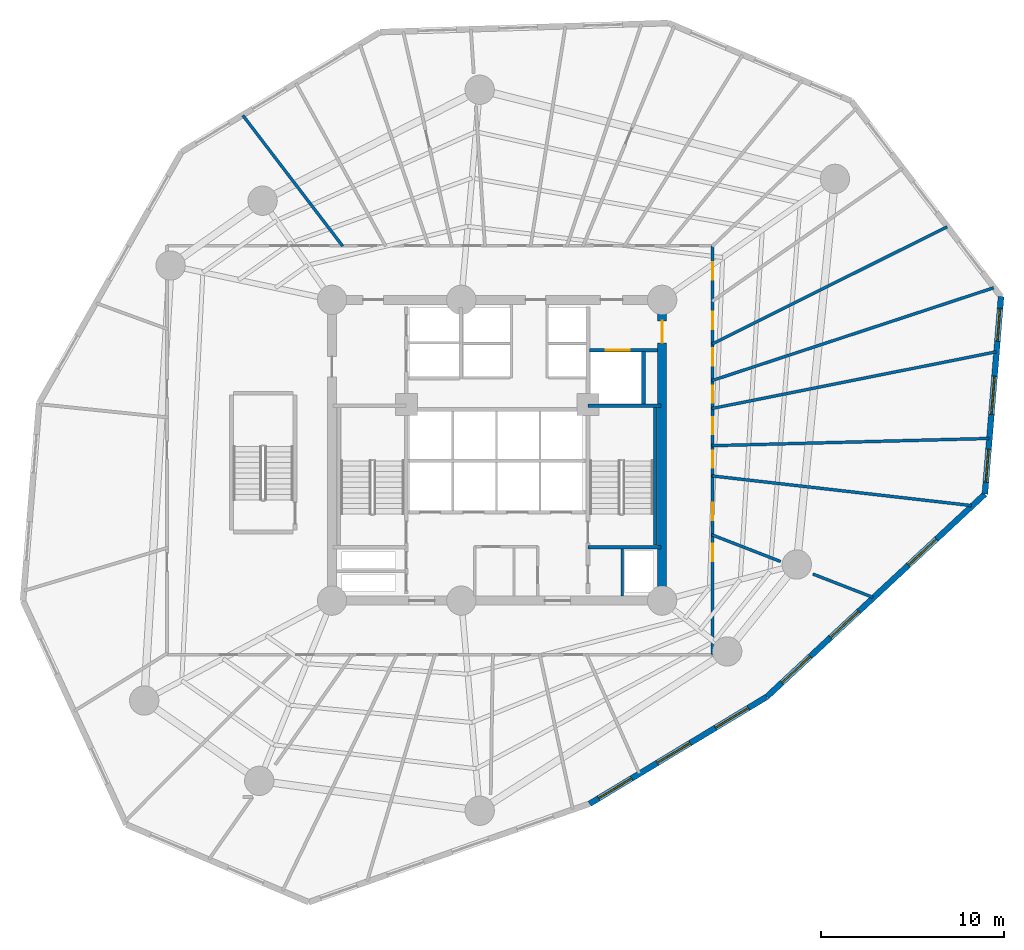
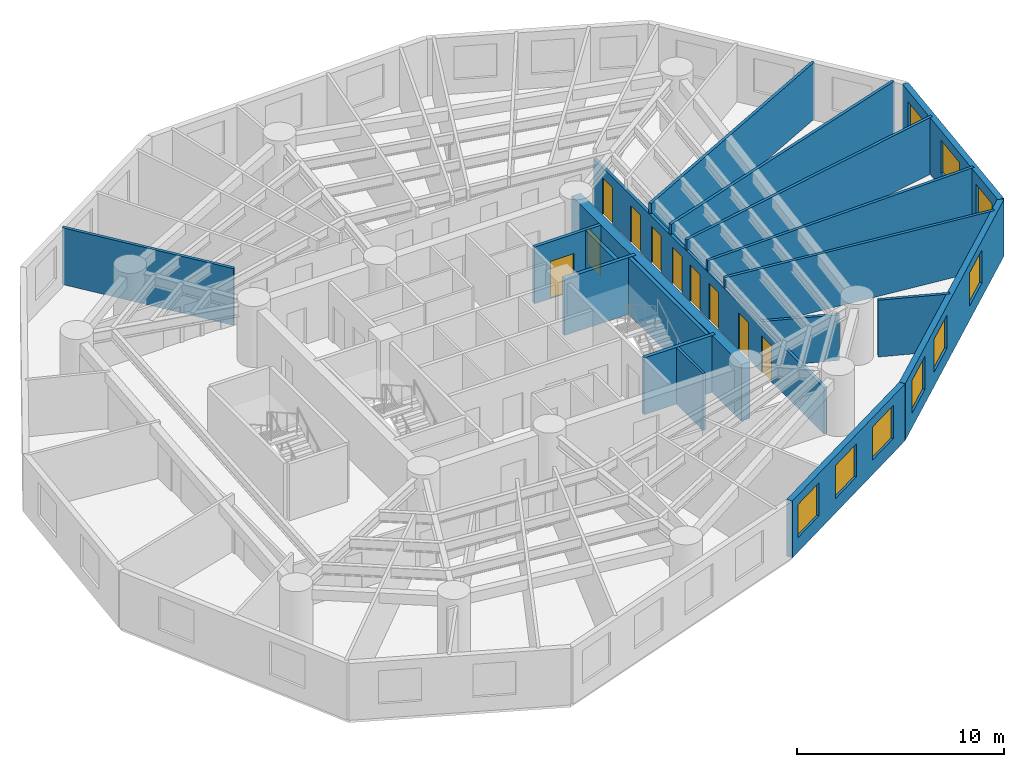
# One storey, part 5 of 8: 19 walls, 10 doors, 9 windows, 19 openings.
"""IFC4 building model written with IfcOpenShell, lengths in metres."""

from ifc_helpers import new_model, si_unit, direction, frame, frame_2d, origin, origin_with_axes, place, context, subcontext, project, spatial, rectangle, extrude, source, transform, mapped, material, layer, layer_set, type_object, element, fill, save


model = new_model("IFC4")

# Units and contexts
model_context = context("Model", 3, precision=1e-05, world=origin(), true_north=direction((0.0, 1.0)))
body_context = subcontext(model_context, "Body", "Model", "MODEL_VIEW")
ifc_project = project(units=[si_unit("LENGTHUNIT", "METRE"), si_unit("AREAUNIT", "SQUARE_METRE"), si_unit("VOLUMEUNIT", "CUBIC_METRE"), si_unit("PLANEANGLEUNIT", "RADIAN"), si_unit("MASSUNIT", "GRAM", prefix="KILO")], contexts=[model_context])

# Site, building, storey
site_placement = place(None, origin())
site = spatial("IfcSite", under=ifc_project, at=site_placement, CompositionType="ELEMENT")
building_placement = place(site_placement, origin())
building = spatial("IfcBuilding", under=site, at=building_placement, Name="Karkom Vertical University and Central Library", CompositionType="ELEMENT")
storey_placement = place(building_placement, frame((0.0, 0.0, 33.699951171875)))
storey = spatial("IfcBuildingStorey", under=building, at=storey_placement, Name="L08", CompositionType="ELEMENT", Elevation=33.699951171875)

# Wall, openings, windows
ifc_material_1 = material(Name="Brick-faced precast concrete C45/55", Category="masonry")
ifc_layer_1 = layer(ifc_material_1, 0.320068359375)
ifc_layer_set_1 = layer_set([ifc_layer_1], Name="Brick-faced precast concrete C45/55")
wall_type_1 = type_object("IfcWallType", Name="ENV-WL-BRK-320", PredefinedType="SOLIDWALL", material=ifc_layer_set_1)
wall_1_placement = place(storey_placement, frame((33.544921875, 7.222900390625, 0.0), z_axis=(0.0, 0.0, 1.0), x_axis=(0.8560794316, 0.51684427712, 0.0)))
wall_1 = element("IfcWall", 1, at=wall_1_placement, inside=storey, type_object=wall_type_1, Name="Level 08 Brick-Faced Precast Facade Wall 07", PredefinedType="SOLIDWALL", context=body_context, shape_type="SweptSolid", body=[
    extrude(rectangle(XDim=11.2880859375, YDim=0.320068359375, at=frame_2d((5.64404296875, 0.0))), origin(), (0.0, 0.0, 1.0), 3.35009765625),
])
opening_1_placement = place(wall_1_placement, frame((0.572021484375, 0.0, 0.85009765625)))
opening_1 = element("IfcOpeningElement", 2, at=opening_1_placement, cuts=wall_1, Name="Opening WN-03", PredefinedType="OPENING", context=body_context, shape_type="SweptSolid", body=[
    extrude(rectangle(XDim=2.10009765625, YDim=1.949951171875, at=frame_2d((1.050048828125, 0.97509765625))), frame((0.0, 0.169921875, 0.0), z_axis=(0.0, -1.0, 0.0), x_axis=(1.0, 0.0, 0.0)), (0.0, 0.0, 1.0), 0.340087890625),
])
opening_2_placement = place(wall_1_placement, frame((4.304931640625, 0.0, 0.85009765625)))
opening_2 = element("IfcOpeningElement", 3, at=opening_2_placement, cuts=wall_1, Name="Opening WN-03", PredefinedType="OPENING", context=body_context, shape_type="SweptSolid", body=[
    extrude(rectangle(XDim=2.10009765625, YDim=1.949951171875, at=frame_2d((1.050048828125, 0.97509765625))), frame((0.0, 0.169921875, 0.0), z_axis=(0.0, -1.0, 0.0), x_axis=(1.0, 0.0, 0.0)), (0.0, 0.0, 1.0), 0.340087890625),
])
opening_3_placement = place(wall_1_placement, frame((8.007080078125, 0.0, 0.85009765625)))
opening_3 = element("IfcOpeningElement", 4, at=opening_3_placement, cuts=wall_1, Name="Opening WN-03", PredefinedType="OPENING", context=body_context, shape_type="SweptSolid", body=[
    extrude(rectangle(XDim=2.10009765625, YDim=1.949951171875, at=frame_2d((1.050048828125, 0.97509765625))), frame((0.0, 0.169921875, 0.0), z_axis=(0.0, -1.0, 0.0), x_axis=(1.0, 0.0, 0.0)), (0.0, 0.0, 1.0), 0.340087890625),
])
ifc_material_2 = material(Name="Aluminium thermal-break frame with solar-control IGU", Category="aluminium")
window_type_1 = type_object("IfcWindowType", Name="ENV-WIN-WN-03", PartitioningType="SINGLE_PANEL", PredefinedType="WINDOW", material=ifc_material_2)
shared_shape_1 = source(origin_with_axes(), body_context, "Body", "SweptSolid", [
    extrude(rectangle(XDim=2.10009765625, YDim=1.949951171875, at=frame_2d((1.050048828125, 0.97509765625))), frame((0.0, 0.030029296875, 0.0), z_axis=(0.0, -1.0, 0.0), x_axis=(1.0, 0.0, 0.0)), (0.0, 0.0, 1.0), 0.06005859375),
])
window_1_placement = place(opening_1_placement, origin())
window_1 = element("IfcWindow", 5, at=window_1_placement, inside=storey, type_object=window_type_1, Name="Level 08 Punched Window 7.1", OverallHeight=1.949951171875, OverallWidth=2.10009765625, PartitioningType="SINGLE_PANEL", PredefinedType="WINDOW", context=body_context, shape_type="MappedRepresentation", body=[
    mapped(shared_shape_1, transform((0.0, 0.0, 0.0), scale=1.0)),
])
fill(opening_1, window_1)
window_2_placement = place(opening_2_placement, origin())
window_2 = element("IfcWindow", 6, at=window_2_placement, inside=storey, type_object=window_type_1, Name="Level 08 Punched Window 7.2", OverallHeight=1.949951171875, OverallWidth=2.10009765625, PartitioningType="SINGLE_PANEL", PredefinedType="WINDOW", context=body_context, shape_type="MappedRepresentation", body=[
    mapped(shared_shape_1, transform((0.0, 0.0, 0.0), scale=1.0)),
])
fill(opening_2, window_2)
window_3_placement = place(opening_3_placement, origin())
window_3 = element("IfcWindow", 7, at=window_3_placement, inside=storey, type_object=window_type_1, Name="Level 08 Punched Window 7.3", OverallHeight=1.949951171875, OverallWidth=2.10009765625, PartitioningType="SINGLE_PANEL", PredefinedType="WINDOW", context=body_context, shape_type="MappedRepresentation", body=[
    mapped(shared_shape_1, transform((0.0, 0.0, 0.0), scale=1.0)),
])
fill(opening_3, window_3)

wall_2_placement = place(storey_placement, frame((43.20849609375, 13.05712890625, 0.0), z_axis=(0.0, 0.0, 1.0), x_axis=(0.732423224096, 0.680849631567, 0.0)))
wall_2 = element("IfcWall", 8, at=wall_2_placement, inside=storey, type_object=wall_type_1, Name="Level 08 Brick-Faced Precast Facade Wall 08", PredefinedType="SOLIDWALL", context=body_context, shape_type="SweptSolid", body=[
    extrude(rectangle(XDim=16.232421875, YDim=0.320068359375, at=frame_2d((8.1162109375, 0.0))), origin(), (0.0, 0.0, 1.0), 3.35009765625),
])
opening_4_placement = place(wall_2_placement, frame((1.13330078125, 0.0, 0.85009765625)))
opening_4 = element("IfcOpeningElement", 9, at=opening_4_placement, cuts=wall_2, Name="Opening WN-03", PredefinedType="OPENING", context=body_context, shape_type="SweptSolid", body=[
    extrude(rectangle(XDim=2.10009765625, YDim=1.949951171875, at=frame_2d((1.050048828125, 0.97509765625))), frame((0.0, 0.169921875, 0.0), z_axis=(0.0, -1.0, 0.0), x_axis=(1.0, 0.0, 0.0)), (0.0, 0.0, 1.0), 0.340087890625),
])
opening_5_placement = place(wall_2_placement, frame((4.739501953125, 0.0, 0.85009765625)))
opening_5 = element("IfcOpeningElement", 10, at=opening_5_placement, cuts=wall_2, Name="Opening WN-03", PredefinedType="OPENING", context=body_context, shape_type="SweptSolid", body=[
    extrude(rectangle(XDim=2.10009765625, YDim=1.949951171875, at=frame_2d((1.050048828125, 0.97509765625))), frame((0.0, 0.169921875, 0.0), z_axis=(0.0, -1.0, 0.0), x_axis=(1.0, 0.0, 0.0)), (0.0, 0.0, 1.0), 0.340087890625),
])
opening_6_placement = place(wall_2_placement, frame((10.52978515625, 0.0, 0.85009765625)))
opening_6 = element("IfcOpeningElement", 11, at=opening_6_placement, cuts=wall_2, Name="Opening WN-03", PredefinedType="OPENING", context=body_context, shape_type="SweptSolid", body=[
    extrude(rectangle(XDim=2.10009765625, YDim=1.949951171875, at=frame_2d((1.050048828125, 0.97509765625))), frame((0.0, 0.169921875, 0.0), z_axis=(0.0, -1.0, 0.0), x_axis=(1.0, 0.0, 0.0)), (0.0, 0.0, 1.0), 0.340087890625),
])
window_4_placement = place(opening_4_placement, origin())
window_4 = element("IfcWindow", 12, at=window_4_placement, inside=storey, type_object=window_type_1, Name="Level 08 Punched Window 8.1", OverallHeight=1.949951171875, OverallWidth=2.10009765625, PartitioningType="SINGLE_PANEL", PredefinedType="WINDOW", context=body_context, shape_type="MappedRepresentation", body=[
    mapped(shared_shape_1, transform((0.0, 0.0, 0.0), scale=1.0)),
])
fill(opening_4, window_4)
window_5_placement = place(opening_5_placement, origin())
window_5 = element("IfcWindow", 13, at=window_5_placement, inside=storey, type_object=window_type_1, Name="Level 08 Punched Window 8.2", OverallHeight=1.949951171875, OverallWidth=2.10009765625, PartitioningType="SINGLE_PANEL", PredefinedType="WINDOW", context=body_context, shape_type="MappedRepresentation", body=[
    mapped(shared_shape_1, transform((0.0, 0.0, 0.0), scale=1.0)),
])
fill(opening_5, window_5)
window_6_placement = place(opening_6_placement, origin())
window_6 = element("IfcWindow", 14, at=window_6_placement, inside=storey, type_object=window_type_1, Name="Level 08 Punched Window 8.3", OverallHeight=1.949951171875, OverallWidth=2.10009765625, PartitioningType="SINGLE_PANEL", PredefinedType="WINDOW", context=body_context, shape_type="MappedRepresentation", body=[
    mapped(shared_shape_1, transform((0.0, 0.0, 0.0), scale=1.0)),
])
fill(opening_6, window_6)

wall_3_placement = place(storey_placement, frame((55.097412109375, 24.10888671875, 0.0), z_axis=(0.0, 0.0, 1.0), x_axis=(0.081674843911, 0.996659028892, 0.0)))
wall_3 = element("IfcWall", 15, at=wall_3_placement, inside=storey, type_object=wall_type_1, Name="Level 08 Brick-Faced Precast Facade Wall 09", PredefinedType="SOLIDWALL", context=body_context, shape_type="SweptSolid", body=[
    extrude(rectangle(XDim=10.805908203125, YDim=0.320068359375, at=frame_2d((5.40283203125, 0.0))), origin(), (0.0, 0.0, 1.0), 3.35009765625),
])
opening_7_placement = place(wall_3_placement, frame((0.64892578125, 0.0, 0.85009765625)))
opening_7 = element("IfcOpeningElement", 16, at=opening_7_placement, cuts=wall_3, Name="Opening WN-04", PredefinedType="OPENING", context=body_context, shape_type="SweptSolid", body=[
    extrude(rectangle(XDim=1.800048828125, YDim=1.85009765625, at=frame_2d((0.89990234375, 0.925048828125))), frame((0.0, 0.169921875, 0.0), z_axis=(0.0, -1.0, 0.0), x_axis=(1.0, 0.0, 0.0)), (0.0, 0.0, 1.0), 0.340087890625),
])
opening_8_placement = place(wall_3_placement, frame((4.354248046875, 0.0, 0.85009765625)))
opening_8 = element("IfcOpeningElement", 17, at=opening_8_placement, cuts=wall_3, Name="Opening WN-03", PredefinedType="OPENING", context=body_context, shape_type="SweptSolid", body=[
    extrude(rectangle(XDim=2.10009765625, YDim=1.949951171875, at=frame_2d((1.050048828125, 0.97509765625))), frame((0.0, 0.169921875, 0.0), z_axis=(0.0, -1.0, 0.0), x_axis=(1.0, 0.0, 0.0)), (0.0, 0.0, 1.0), 0.340087890625),
])
opening_9_placement = place(wall_3_placement, frame((8.358154296875, 0.0, 0.85009765625)))
opening_9 = element("IfcOpeningElement", 18, at=opening_9_placement, cuts=wall_3, Name="Opening WN-04", PredefinedType="OPENING", context=body_context, shape_type="SweptSolid", body=[
    extrude(rectangle(XDim=1.800048828125, YDim=1.85009765625, at=frame_2d((0.89990234375, 0.925048828125))), frame((0.0, 0.169921875, 0.0), z_axis=(0.0, -1.0, 0.0), x_axis=(1.0, 0.0, 0.0)), (0.0, 0.0, 1.0), 0.340087890625),
])
window_7_placement = place(opening_8_placement, origin())
window_7 = element("IfcWindow", 19, at=window_7_placement, inside=storey, type_object=window_type_1, Name="Level 08 Punched Window 9.2", OverallHeight=1.949951171875, OverallWidth=2.10009765625, PartitioningType="SINGLE_PANEL", PredefinedType="WINDOW", context=body_context, shape_type="MappedRepresentation", body=[
    mapped(shared_shape_1, transform((0.0, 0.0, 0.0), scale=1.0)),
])
fill(opening_8, window_7)
window_type_2 = type_object("IfcWindowType", Name="ENV-WIN-WN-04", PartitioningType="SINGLE_PANEL", PredefinedType="WINDOW", material=ifc_material_2)
shared_shape_2 = source(origin_with_axes(), body_context, "Body", "SweptSolid", [
    extrude(rectangle(XDim=1.800048828125, YDim=1.85009765625, at=frame_2d((0.89990234375, 0.925048828125))), frame((0.0, 0.030029296875, 0.0), z_axis=(0.0, -1.0, 0.0), x_axis=(1.0, 0.0, 0.0)), (0.0, 0.0, 1.0), 0.06005859375),
])
window_8_placement = place(opening_7_placement, origin())
window_8 = element("IfcWindow", 20, at=window_8_placement, inside=storey, type_object=window_type_2, Name="Level 08 Punched Window 9.1", OverallHeight=1.85009765625, OverallWidth=1.800048828125, PartitioningType="SINGLE_PANEL", PredefinedType="WINDOW", context=body_context, shape_type="MappedRepresentation", body=[
    mapped(shared_shape_2, transform((0.0, 0.0, 0.0), scale=1.0)),
])
fill(opening_7, window_8)
window_9_placement = place(opening_9_placement, origin())
window_9 = element("IfcWindow", 21, at=window_9_placement, inside=storey, type_object=window_type_2, Name="Level 08 Punched Window 9.3", OverallHeight=1.85009765625, OverallWidth=1.800048828125, PartitioningType="SINGLE_PANEL", PredefinedType="WINDOW", context=body_context, shape_type="MappedRepresentation", body=[
    mapped(shared_shape_2, transform((0.0, 0.0, 0.0), scale=1.0)),
])
fill(opening_9, window_9)

# Wall, openings, doors
ifc_material_3 = material(Name="Insulated metal-stud drywall 160mm", Category="gypsum")
ifc_layer_2 = layer(ifc_material_3, 0.159912109375)
ifc_layer_set_2 = layer_set([ifc_layer_2], Name="Insulated metal-stud drywall 160mm")
wall_type_2 = type_object("IfcWallType", Name="INT-WL-COR-160", PredefinedType="PARTITIONING", material=ifc_layer_set_2)
wall_4_placement = place(storey_placement, frame((40.25, 37.64990234375, 0.0), z_axis=(0.0, 0.0, 1.0), x_axis=(0.0, -1.0, 0.0)))
wall_4 = element("IfcWall", 22, at=wall_4_placement, inside=storey, type_object=wall_type_2, Name="Level 08 Interior Partition Wall Level 08-CORW-CW-004", PredefinedType="PARTITIONING", context=body_context, shape_type="SweptSolid", body=[
    extrude(rectangle(XDim=22.2998046875, YDim=0.159912109375, at=frame_2d((11.14990234375, 0.0))), origin(), (0.0, 0.0, 1.0), 2.75),
])
opening_10_placement = place(wall_4_placement, frame((16.25, 0.0, 0.0)))
opening_10 = element("IfcOpeningElement", 23, at=opening_10_placement, cuts=wall_4, Name="Opening D-RM1", PredefinedType="OPENING", context=body_context, shape_type="SweptSolid", body=[
    extrude(rectangle(XDim=0.949951171875, YDim=2.14990234375, at=frame_2d((0.47509765625, 1.074951171875))), frame((0.0, 0.08984375, 0.0), z_axis=(0.0, -1.0, 0.0), x_axis=(1.0, 0.0, 0.0)), (0.0, 0.0, 1.0), 0.179931640625),
])
opening_11_placement = place(wall_4_placement, frame((14.02001953125, 0.0, 0.0)))
opening_11 = element("IfcOpeningElement", 24, at=opening_11_placement, cuts=wall_4, Name="Opening D-RM1", PredefinedType="OPENING", context=body_context, shape_type="SweptSolid", body=[
    extrude(rectangle(XDim=0.949951171875, YDim=2.14990234375, at=frame_2d((0.47509765625, 1.074951171875))), frame((0.0, 0.08984375, 0.0), z_axis=(0.0, -1.0, 0.0), x_axis=(1.0, 0.0, 0.0)), (0.0, 0.0, 1.0), 0.179931640625),
])
opening_12_placement = place(wall_4_placement, frame((11.1650390625, 0.0, 0.0)))
opening_12 = element("IfcOpeningElement", 25, at=opening_12_placement, cuts=wall_4, Name="Opening D-RM1", PredefinedType="OPENING", context=body_context, shape_type="SweptSolid", body=[
    extrude(rectangle(XDim=0.949951171875, YDim=2.14990234375, at=frame_2d((0.47509765625, 1.074951171875))), frame((0.0, 0.08984375, 0.0), z_axis=(0.0, -1.0, 0.0), x_axis=(1.0, 0.0, 0.0)), (0.0, 0.0, 1.0), 0.179931640625),
])
opening_13_placement = place(wall_4_placement, frame((9.3408203125, 0.0, 0.0)))
opening_13 = element("IfcOpeningElement", 26, at=opening_13_placement, cuts=wall_4, Name="Opening D-RM1", PredefinedType="OPENING", context=body_context, shape_type="SweptSolid", body=[
    extrude(rectangle(XDim=0.949951171875, YDim=2.14990234375, at=frame_2d((0.47509765625, 1.074951171875))), frame((0.0, 0.08984375, 0.0), z_axis=(0.0, -1.0, 0.0), x_axis=(1.0, 0.0, 0.0)), (0.0, 0.0, 1.0), 0.179931640625),
])
opening_14_placement = place(wall_4_placement, frame((7.6201171875, 0.0, 0.0)))
opening_14 = element("IfcOpeningElement", 27, at=opening_14_placement, cuts=wall_4, Name="Opening D-RM1", PredefinedType="OPENING", context=body_context, shape_type="SweptSolid", body=[
    extrude(rectangle(XDim=0.949951171875, YDim=2.14990234375, at=frame_2d((0.47509765625, 1.074951171875))), frame((0.0, 0.08984375, 0.0), z_axis=(0.0, -1.0, 0.0), x_axis=(1.0, 0.0, 0.0)), (0.0, 0.0, 1.0), 0.179931640625),
])
opening_15_placement = place(wall_4_placement, frame((5.590087890625, 0.0, 0.0)))
opening_15 = element("IfcOpeningElement", 28, at=opening_15_placement, cuts=wall_4, Name="Opening D-RM1", PredefinedType="OPENING", context=body_context, shape_type="SweptSolid", body=[
    extrude(rectangle(XDim=0.949951171875, YDim=2.14990234375, at=frame_2d((0.47509765625, 1.074951171875))), frame((0.0, 0.08984375, 0.0), z_axis=(0.0, -1.0, 0.0), x_axis=(1.0, 0.0, 0.0)), (0.0, 0.0, 1.0), 0.179931640625),
])
opening_16_placement = place(wall_4_placement, frame((3.5908203125, 0.0, 0.0)))
opening_16 = element("IfcOpeningElement", 29, at=opening_16_placement, cuts=wall_4, Name="Opening D-RM1", PredefinedType="OPENING", context=body_context, shape_type="SweptSolid", body=[
    extrude(rectangle(XDim=0.949951171875, YDim=2.14990234375, at=frame_2d((0.47509765625, 1.074951171875))), frame((0.0, 0.08984375, 0.0), z_axis=(0.0, -1.0, 0.0), x_axis=(1.0, 0.0, 0.0)), (0.0, 0.0, 1.0), 0.179931640625),
])
opening_17_placement = place(wall_4_placement, frame((0.895263671875, 0.0, 0.0)))
opening_17 = element("IfcOpeningElement", 30, at=opening_17_placement, cuts=wall_4, Name="Opening D-RM1", PredefinedType="OPENING", context=body_context, shape_type="SweptSolid", body=[
    extrude(rectangle(XDim=0.949951171875, YDim=2.14990234375, at=frame_2d((0.47509765625, 1.074951171875))), frame((0.0, 0.08984375, 0.0), z_axis=(0.0, -1.0, 0.0), x_axis=(1.0, 0.0, 0.0)), (0.0, 0.0, 1.0), 0.179931640625),
])
ifc_material_4 = material(Name="Solid-core oak veneer door", Category="wood")
door_type_1 = type_object("IfcDoorType", Name="INT-DR-RM1", OperationType="NOTDEFINED", PredefinedType="DOOR", material=ifc_material_4)
shared_shape_3 = source(origin_with_axes(), body_context, "Body", "SweptSolid", [
    extrude(rectangle(XDim=0.949951171875, YDim=2.14990234375, at=frame_2d((0.47509765625, 1.074951171875))), frame((0.0, 0.02490234375, 0.0), z_axis=(0.0, -1.0, 0.0), x_axis=(1.0, 0.0, 0.0)), (0.0, 0.0, 1.0), 0.050048828125),
])
door_1_placement = place(opening_10_placement, origin())
door_1 = element("IfcDoor", 31, at=door_1_placement, inside=storey, type_object=door_type_1, Name="Level 08 Room Entry Door 090", OperationType="SINGLE_SWING_LEFT", OverallHeight=2.14990234375, OverallWidth=0.949951171875, PredefinedType="DOOR", context=body_context, shape_type="MappedRepresentation", body=[
    mapped(shared_shape_3, transform((0.0, 0.0, 0.0), scale=1.0)),
])
fill(opening_10, door_1)
door_2_placement = place(opening_11_placement, origin())
door_2 = element("IfcDoor", 32, at=door_2_placement, inside=storey, type_object=door_type_1, Name="Level 08 Room Entry Door 100", OperationType="SINGLE_SWING_RIGHT", OverallHeight=2.14990234375, OverallWidth=0.949951171875, PredefinedType="DOOR", context=body_context, shape_type="MappedRepresentation", body=[
    mapped(shared_shape_3, transform((0.0, 0.0, 0.0), scale=1.0)),
])
fill(opening_11, door_2)
door_3_placement = place(opening_12_placement, origin())
door_3 = element("IfcDoor", 33, at=door_3_placement, inside=storey, type_object=door_type_1, Name="Level 08 Room Entry Door 110", OperationType="SINGLE_SWING_LEFT", OverallHeight=2.14990234375, OverallWidth=0.949951171875, PredefinedType="DOOR", context=body_context, shape_type="MappedRepresentation", body=[
    mapped(shared_shape_3, transform((0.0, 0.0, 0.0), scale=1.0)),
])
fill(opening_12, door_3)
door_4_placement = place(opening_13_placement, origin())
door_4 = element("IfcDoor", 34, at=door_4_placement, inside=storey, type_object=door_type_1, Name="Level 08 Room Entry Door 120", OperationType="SINGLE_SWING_RIGHT", OverallHeight=2.14990234375, OverallWidth=0.949951171875, PredefinedType="DOOR", context=body_context, shape_type="MappedRepresentation", body=[
    mapped(shared_shape_3, transform((0.0, 0.0, 0.0), scale=1.0)),
])
fill(opening_13, door_4)
door_5_placement = place(opening_14_placement, origin())
door_5 = element("IfcDoor", 35, at=door_5_placement, inside=storey, type_object=door_type_1, Name="Level 08 Room Entry Door 130", OperationType="SINGLE_SWING_LEFT", OverallHeight=2.14990234375, OverallWidth=0.949951171875, PredefinedType="DOOR", context=body_context, shape_type="MappedRepresentation", body=[
    mapped(shared_shape_3, transform((0.0, 0.0, 0.0), scale=1.0)),
])
fill(opening_14, door_5)
door_6_placement = place(opening_15_placement, origin())
door_6 = element("IfcDoor", 36, at=door_6_placement, inside=storey, type_object=door_type_1, Name="Level 08 Room Entry Door 140", OperationType="SINGLE_SWING_RIGHT", OverallHeight=2.14990234375, OverallWidth=0.949951171875, PredefinedType="DOOR", context=body_context, shape_type="MappedRepresentation", body=[
    mapped(shared_shape_3, transform((0.0, 0.0, 0.0), scale=1.0)),
])
fill(opening_15, door_6)
door_7_placement = place(opening_16_placement, origin())
door_7 = element("IfcDoor", 37, at=door_7_placement, inside=storey, type_object=door_type_1, Name="Level 08 Room Entry Door 150", OperationType="SINGLE_SWING_LEFT", OverallHeight=2.14990234375, OverallWidth=0.949951171875, PredefinedType="DOOR", context=body_context, shape_type="MappedRepresentation", body=[
    mapped(shared_shape_3, transform((0.0, 0.0, 0.0), scale=1.0)),
])
fill(opening_16, door_7)
door_8_placement = place(opening_17_placement, origin())
door_8 = element("IfcDoor", 38, at=door_8_placement, inside=storey, type_object=door_type_1, Name="Level 08 Room Entry Door 160", OperationType="SINGLE_SWING_RIGHT", OverallHeight=2.14990234375, OverallWidth=0.949951171875, PredefinedType="DOOR", context=body_context, shape_type="MappedRepresentation", body=[
    mapped(shared_shape_3, transform((0.0, 0.0, 0.0), scale=1.0)),
])
fill(opening_17, door_8)

# Walls
wall_5_placement = place(storey_placement, frame((40.207275390625, 30.294189453125, 0.0), z_axis=(0.0, 0.0, 1.0), x_axis=(0.949765450766, 0.312962599252, 0.0)))
element("IfcWall", 39, at=wall_5_placement, inside=storey, type_object=wall_type_2, Name="Level 08 Interior Partition Wall Level 08-PW-018", PredefinedType="PARTITIONING", context=body_context, shape_type="SweptSolid", body=[
    extrude(rectangle(XDim=16.182373046875, YDim=0.159912109375, at=frame_2d((8.09130859375, 0.0))), origin(), (0.0, 0.0, 1.0), 3.35009765625),
])
wall_6_placement = place(storey_placement, frame((40.205810546875, 28.773681640625, 0.0), z_axis=(0.0, 0.0, 1.0), x_axis=(0.980679767077, 0.195620025679, 0.0)))
element("IfcWall", 40, at=wall_6_placement, inside=storey, type_object=wall_type_2, Name="Level 08 Interior Partition Wall Level 08-PW-017", PredefinedType="PARTITIONING", context=body_context, shape_type="SweptSolid", body=[
    extrude(rectangle(XDim=15.80517578125, YDim=0.159912109375, at=frame_2d((7.902587890625, 0.0))), origin(), (0.0, 0.0, 1.0), 3.35009765625),
])
wall_7_placement = place(storey_placement, frame((40.205078125, 26.74658203125, 0.0), z_axis=(0.0, 0.0, 1.0), x_axis=(0.999657007579, 0.026189066372, 0.0)))
element("IfcWall", 41, at=wall_7_placement, inside=storey, type_object=wall_type_2, Name="Level 08 Interior Partition Wall Level 08-PW-016", PredefinedType="PARTITIONING", context=body_context, shape_type="SweptSolid", body=[
    extrude(rectangle(XDim=15.12060546875, YDim=0.159912109375, at=frame_2d((7.560302734375, 0.0))), origin(), (0.0, 0.0, 1.0), 3.35009765625),
])
wall_8_placement = place(storey_placement, frame((40.22314453125, 32.287109375, 0.0), z_axis=(0.0, 0.0, 1.0), x_axis=(0.894645323944, 0.44677706336, 0.0)))
element("IfcWall", 42, at=wall_8_placement, inside=storey, type_object=wall_type_2, Name="Level 08 Interior Partition Wall Level 08-PW-019", PredefinedType="PARTITIONING", context=body_context, shape_type="SweptSolid", body=[
    extrude(rectangle(XDim=14.319091796875, YDim=0.159912109375, at=frame_2d((7.15966796875, 0.0))), origin(), (0.0, 0.0, 1.0), 3.35009765625),
])
wall_9_placement = place(storey_placement, frame((40.22021484375, 25.10009765625, 0.0), z_axis=(0.0, 0.0, 1.0), x_axis=(0.993531235452, -0.113559165996, 0.0)))
element("IfcWall", 43, at=wall_9_placement, inside=storey, type_object=wall_type_2, Name="Level 08 Interior Partition Wall Level 08-PW-015", PredefinedType="PARTITIONING", context=body_context, shape_type="SweptSolid", body=[
    extrude(rectangle(XDim=14.236572265625, YDim=0.159912109375, at=frame_2d((7.1181640625, 0.0))), origin(), (0.0, 0.0, 1.0), 3.35009765625),
])
wall_10_placement = place(storey_placement, frame((20.082275390625, 37.626220703125, 0.0), z_axis=(0.0, 0.0, 1.0), x_axis=(-0.606772385427, 0.794875633218, 0.0)))
element("IfcWall", 44, at=wall_10_placement, inside=storey, type_object=wall_type_2, Name="Level 08 Interior Partition Wall Level 08-PW-032", PredefinedType="PARTITIONING", context=body_context, shape_type="SweptSolid", body=[
    extrude(rectangle(XDim=8.97509765625, YDim=0.159912109375, at=frame_2d((4.487548828125, 0.0))), origin(), (0.0, 0.0, 1.0), 3.35009765625),
])
wall_11_placement = place(storey_placement, frame((40.2080078125, 21.889404296875, 0.0), z_axis=(0.0, 0.0, 1.0), x_axis=(0.932188915671, -0.361972133596, 0.0)))
element("IfcWall", 45, at=wall_11_placement, inside=storey, type_object=wall_type_2, Name="Level 08 Interior Partition Wall Level 08-PW-014", PredefinedType="PARTITIONING", context=body_context, shape_type="SweptSolid", body=[
    extrude(rectangle(XDim=4.02587890625, YDim=0.159912109375, at=frame_2d((2.012939453125, 0.0))), origin(), (0.0, 0.0, 1.0), 2.699951171875),
])
wall_12_placement = place(storey_placement, frame((45.720947265625, 19.74853515625, 0.0), z_axis=(0.0, 0.0, 1.0), x_axis=(0.932193777392, -0.36195961293, 0.0)))
element("IfcWall", 46, at=wall_12_placement, inside=storey, type_object=wall_type_2, Name="Level 08 Interior Partition Wall Level 08-PW-013", PredefinedType="PARTITIONING", context=body_context, shape_type="SweptSolid", body=[
    extrude(rectangle(XDim=3.5107421875, YDim=0.159912109375, at=frame_2d((1.75537109375, 0.0))), origin(), (0.0, 0.0, 1.0), 3.35009765625),
])
ifc_material_5 = material(Name="Metal-stud gypsum partition 140mm", Category="gypsum")
ifc_layer_3 = layer(ifc_material_5, 0.139892578125)
ifc_layer_set_3 = layer_set([ifc_layer_3], Name="Metal-stud gypsum partition 140mm")
wall_type_3 = type_object("IfcWallType", Name="INT-WL-SUB-140H", PredefinedType="PARTITIONING", material=ifc_layer_set_3)
wall_13_placement = place(storey_placement, frame((35.320068359375, 18.556884765625, 0.0), z_axis=(0.0, 0.0, 1.0), x_axis=(0.0, 1.0, 0.0)))
element("IfcWall", 47, at=wall_13_placement, inside=storey, type_object=wall_type_3, Name="Level 08 Interior Partition Wall Level 08-CW-RIS-E", PredefinedType="PARTITIONING", context=body_context, shape_type="SweptSolid", body=[
    extrude(rectangle(XDim=2.553466796875, YDim=0.139892578125, at=frame_2d((1.27685546875, 0.0))), origin(), (0.0, 0.0, 1.0), 3.35009765625),
])

# Wall, opening, door
ifc_material_6 = material(Name="Twin-stud acoustic drywall 180mm", Category="gypsum")
ifc_layer_4 = layer(ifc_material_6, 0.179931640625)
ifc_layer_set_4 = layer_set([ifc_layer_4], Name="Twin-stud acoustic drywall 180mm")
wall_type_4 = type_object("IfcWallType", Name="INT-WL-TEN-180F", PredefinedType="PARTITIONING", material=ifc_layer_set_4)
wall_14_placement = place(storey_placement, frame((33.534912109375, 31.949951171875, 0.0), z_axis=(0.0, 0.0, 1.0), x_axis=(1.0, 0.0, 0.0)))
wall_14 = element("IfcWall", 48, at=wall_14_placement, inside=storey, type_object=wall_type_4, Name="Level 08 Interior Partition Wall Level 08-CW-SVL-N", PredefinedType="PARTITIONING", context=body_context, shape_type="SweptSolid", body=[
    extrude(rectangle(XDim=3.708740234375, YDim=0.179931640625, at=frame_2d((1.8544921875, 0.0))), origin(), (0.0, 0.0, 1.0), 3.35009765625),
])
opening_18_placement = place(wall_14_placement, frame((0.89990234375, 0.0, 0.0)))
opening_18 = element("IfcOpeningElement", 49, at=opening_18_placement, cuts=wall_14, Name="Opening LD-SV1", PredefinedType="OPENING", context=body_context, shape_type="SweptSolid", body=[
    extrude(rectangle(XDim=1.300048828125, YDim=2.199951171875, at=frame_2d((0.64990234375, 1.10009765625))), frame((0.0, 0.10009765625, 0.0), z_axis=(0.0, -1.0, 0.0), x_axis=(1.0, 0.0, 0.0)), (0.0, 0.0, 1.0), 0.199951171875),
])
ifc_material_7 = material(Name="Brushed stainless-steel landing door", Category="steel")
door_type_2 = type_object("IfcDoorType", Name="INT-DR-LD-SV1", OperationType="SLIDING_TO_LEFT", PredefinedType="DOOR", material=ifc_material_7)
shared_shape_4 = source(origin_with_axes(), body_context, "Body", "SweptSolid", [
    extrude(rectangle(XDim=1.300048828125, YDim=2.199951171875, at=frame_2d((0.64990234375, 1.10009765625))), frame((0.0, 0.02490234375, 0.0), z_axis=(0.0, -1.0, 0.0), x_axis=(1.0, 0.0, 0.0)), (0.0, 0.0, 1.0), 0.050048828125),
])
door_9_placement = place(opening_18_placement, origin())
door_9 = element("IfcDoor", 50, at=door_9_placement, inside=storey, type_object=door_type_2, Name="Level 08 Service Lift Landing Door LD-SV1", OperationType="SLIDING_TO_LEFT", OverallHeight=2.199951171875, OverallWidth=1.300048828125, PredefinedType="DOOR", context=body_context, shape_type="MappedRepresentation", body=[
    mapped(shared_shape_4, transform((0.0, 0.0, 0.0), scale=1.0)),
])
fill(opening_18, door_9)

ifc_material_8 = material(Name="Concrete C50/60", Category="concrete")
ifc_layer_5 = layer(ifc_material_8, 0.5)
ifc_layer_set_5 = layer_set([ifc_layer_5], Name="Concrete C50/60")
wall_type_5 = type_object("IfcWallType", Name="STR-WL-CW-500", PredefinedType="SHEAR", material=ifc_layer_set_5)
wall_15_placement = place(storey_placement, frame((37.5, 18.300048828125, 0.0), z_axis=(0.0, 0.0, 1.0), x_axis=(0.0, 1.0, 0.0)))
wall_15 = element("IfcWall", 51, at=wall_15_placement, inside=storey, type_object=wall_type_5, Name="Level 08 Central Core Shear Wall EW", PredefinedType="SHEAR", context=body_context, shape_type="SweptSolid", body=[
    extrude(rectangle(XDim=16.39990234375, YDim=0.5, at=frame_2d((8.199951171875, 0.0))), origin(), (0.0, 0.0, 1.0), 3.35009765625),
])
opening_19_placement = place(wall_15_placement, frame((14.06005859375, 0.0, 0.0)))
opening_19 = element("IfcOpeningElement", 52, at=opening_19_placement, cuts=wall_15, Name="Opening FD-SUB1", PredefinedType="OPENING", context=body_context, shape_type="SweptSolid", body=[
    extrude(rectangle(XDim=1.199951171875, YDim=2.14990234375, at=frame_2d((0.60009765625, 1.074951171875))), frame((0.0, 0.260009765625, 0.0), z_axis=(0.0, -1.0, 0.0), x_axis=(1.0, 0.0, 0.0)), (0.0, 0.0, 1.0), 0.52001953125),
])
ifc_material_9 = material(Name="Painted steel fire door", Category="steel")
door_type_3 = type_object("IfcDoorType", Name="INT-DR-SUB1", OperationType="NOTDEFINED", PredefinedType="DOOR", material=ifc_material_9)
shared_shape_5 = source(origin_with_axes(), body_context, "Body", "SweptSolid", [
    extrude(rectangle(XDim=1.199951171875, YDim=2.14990234375, at=frame_2d((0.60009765625, 1.074951171875))), frame((0.0, 0.02490234375, 0.0), z_axis=(0.0, -1.0, 0.0), x_axis=(1.0, 0.0, 0.0)), (0.0, 0.0, 1.0), 0.050048828125),
])
door_10_placement = place(opening_19_placement, origin())
door_10 = element("IfcDoor", 53, at=door_10_placement, inside=storey, type_object=door_type_3, Name="Level 08 East Corridor Service Lobby Door", OperationType="SINGLE_SWING_LEFT", OverallHeight=2.14990234375, OverallWidth=1.199951171875, PredefinedType="DOOR", context=body_context, shape_type="MappedRepresentation", body=[
    mapped(shared_shape_5, transform((0.0, 0.0, 0.0), scale=1.0)),
])
fill(opening_19, door_10)

# Walls
ifc_material_10 = material(Name="Concrete C45/55", Category="concrete")
ifc_layer_6 = layer(ifc_material_10, 0.199951171875)
ifc_layer_set_6 = layer_set([ifc_layer_6], Name="Concrete C45/55")
wall_type_6 = type_object("IfcWallType", Name="STR-WL-ST-200", PredefinedType="SHEAR", material=ifc_layer_set_6)
wall_16_placement = place(storey_placement, frame((37.125, 21.320068359375, 0.0), z_axis=(0.0, 0.0, 1.0), x_axis=(0.0, 1.0, 0.0)))
element("IfcWall", 54, at=wall_16_placement, inside=storey, type_object=wall_type_6, Name="Level 08 Core Shaft Wall Level 08-CW-ST2-E", PredefinedType="SHEAR", context=body_context, shape_type="SweptSolid", body=[
    extrude(rectangle(XDim=7.5, YDim=0.199951171875, at=frame_2d((3.75, 0.0))), origin(), (0.0, 0.0, 1.0), 3.35009765625),
])
for number, where, z_axis, x_axis, name in (
    (55, (33.455078125, 21.215087890625, 0.0), (0.0, 0.0, 1.0), (1.0, 0.0, 0.0), "Level 08 Core Shaft Wall Level 08-CW-ST2-S"),
    (56, (33.455078125, 28.925048828125, 0.0), (0.0, 0.0, 1.0), (1.0, 0.0, 0.0), "Level 08 Core Shaft Wall Level 08-CW-ST2-N"),
):
    element("IfcWall", number, at=place(storey_placement, frame(where, z_axis=z_axis, x_axis=x_axis)), inside=storey, type_object=wall_type_6, Name=name, PredefinedType="SHEAR", context=body_context, shape_type="SweptSolid", body=[
        extrude(rectangle(XDim=3.994873046875, YDim=0.199951171875, at=frame_2d((1.99755859375, 0.0))), origin(), (0.0, 0.0, 1.0), 3.35009765625),
    ])
wall_17_placement = place(storey_placement, frame((36.47998046875, 29.02001953125, 0.0), z_axis=(0.0, 0.0, 1.0), x_axis=(0.0, 1.0, 0.0)))
element("IfcWall", 57, at=wall_17_placement, inside=storey, type_object=wall_type_6, Name="Level 08 Core Shaft Wall Level 08-CW-SVL-E", PredefinedType="SHEAR", context=body_context, shape_type="SweptSolid", body=[
    extrude(rectangle(XDim=2.85986328125, YDim=0.199951171875, at=frame_2d((1.429931640625, 0.0))), origin(), (0.0, 0.0, 1.0), 3.35009765625),
])

save(model, "model.ifc")
